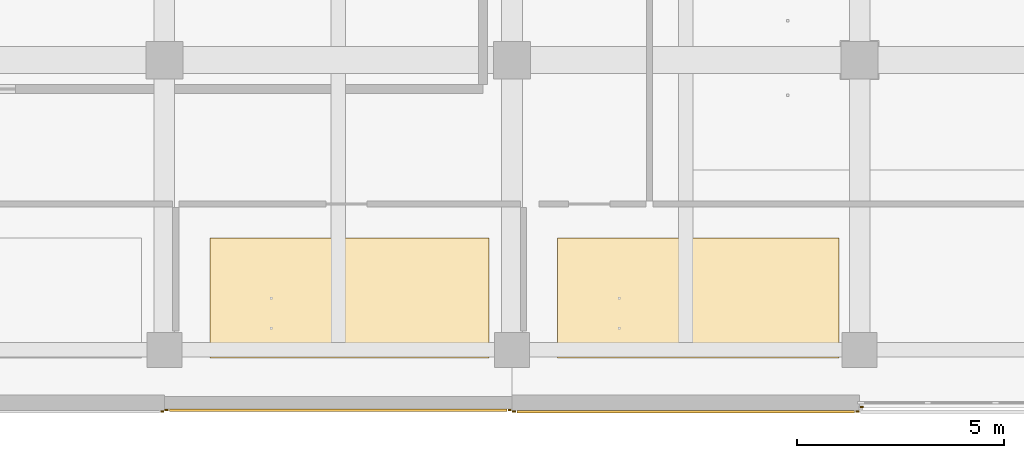
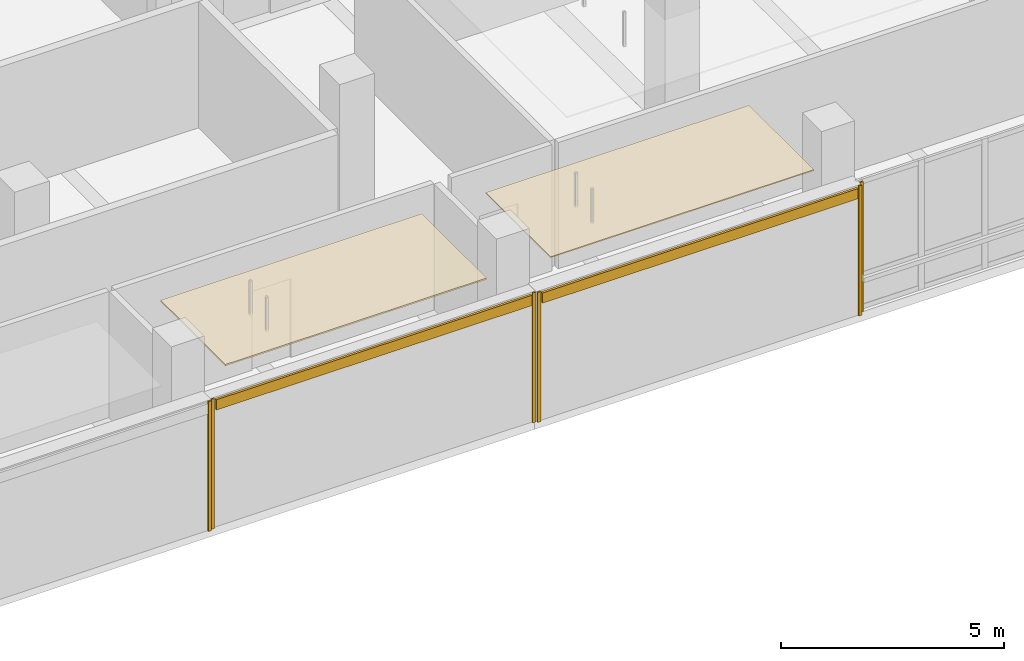
# One storey, part 28 of 36: 10 coverings.
"""IFC4 building model written with IfcOpenShell, lengths in metres."""

from ifc_helpers import new_model, si_unit, direction, frame, origin, origin_2d, place, context, subcontext, project, spatial, polyline, rectangle, outline, extrude, material, layer, layer_set, type_object, element, save


model = new_model("IFC4")

# Units and contexts
model_context = context("Model", 3, precision=1e-05, world=origin(), true_north=direction((0.0, 1.0)))
body_context = subcontext(model_context, "Body", "Model", "MODEL_VIEW")
ifc_project = project(units=[si_unit("LENGTHUNIT", "METRE"), si_unit("AREAUNIT", "SQUARE_METRE"), si_unit("VOLUMEUNIT", "CUBIC_METRE"), si_unit("PLANEANGLEUNIT", "RADIAN"), si_unit("MASSUNIT", "GRAM", prefix="KILO")], contexts=[model_context])

# Site, building, storey
site_placement = place(None, origin())
site = spatial("IfcSite", under=ifc_project, at=site_placement, CompositionType="ELEMENT")
building_placement = place(site_placement, origin())
building = spatial("IfcBuilding", under=site, at=building_placement, Name="Telukmera Botanical Conservatory", CompositionType="ELEMENT")
storey_placement = place(building_placement, frame((0.0, 0.0, 24.0)))
storey = spatial("IfcBuildingStorey", under=building, at=storey_placement, Name="L05", CompositionType="ELEMENT", Elevation=24.0)

# Coverings
ifc_material_1 = material(Name="Mineral fibre acoustic ceiling")
ifc_layer_1 = layer(ifc_material_1, 0.030029296875)
ifc_layer_set_1 = layer_set([ifc_layer_1], Name="Mineral fibre acoustic ceiling")
covering_type_1 = type_object("IfcCoveringType", Name="COV-CEIL-30", PredefinedType="CEILING", material=ifc_layer_set_1)
covering_1_placement = place(storey_placement, frame((0.0, 0.0, 3.320068359375)))
element("IfcCovering", 1, at=covering_1_placement, inside=storey, type_object=covering_type_1, Name="L05 Laboratory Write-Up Studio Suspended Acoustic Ceiling", PredefinedType="CEILING", context=body_context, shape_type="SweptSolid", body=[
    extrude(outline(polyline([(93.5, 10.39990234375), (100.304931640625, 10.39990234375), (100.304931640625, 13.300048828125), (93.5, 13.300048828125), (93.5, 10.39990234375)])), origin(), (0.0, 0.0, 1.0), 0.030029296875),
])
ifc_material_2 = material(Name="Perforated gypsum acoustic ceiling")
ifc_layer_2 = layer(ifc_material_2, 0.0400390625)
ifc_layer_set_2 = layer_set([ifc_layer_2], Name="Perforated gypsum acoustic ceiling")
covering_type_2 = type_object("IfcCoveringType", Name="COV-CEIL-40", PredefinedType="CEILING", material=ifc_layer_set_2)
covering_2_placement = place(storey_placement, frame((0.0, 0.0, 3.31005859375)))
element("IfcCovering", 2, at=covering_2_placement, inside=storey, type_object=covering_type_2, Name="L05 Lichenology Taxonomy Studio Suspended Acoustic Ceiling", PredefinedType="CEILING", context=body_context, shape_type="SweptSolid", body=[
    extrude(outline(polyline([(85.10009765625, 10.39990234375), (91.85009765625, 10.39990234375), (91.85009765625, 13.300048828125), (85.10009765625, 13.300048828125), (85.10009765625, 10.39990234375)])), origin(), (0.0, 0.0, 1.0), 0.0400390625),
])
ifc_material_3 = material(Name="Granite-faced precast concrete C40/50", Category="masonry")
ifc_layer_3 = layer(ifc_material_3, 0.0400390625)
ifc_layer_set_3 = layer_set([ifc_layer_3], Name="Granite-faced precast concrete C40/50")
covering_type_3 = type_object("IfcCoveringType", Name="Granite Precast Column Pier Reveal Casing", PredefinedType="CLADDING", material=ifc_layer_set_3)
for number, where, z_axis, x_axis, name in (
    (3, (83.947998046875, 9.110107421875, 0.0), (0.0, 0.0, 1.0), (1.0, 0.0, 0.0), "Granite Pier Reveal V4:L05:S4 R"),
    (4, (84.052001953125, 9.14990234375, 0.0), (0.0, 0.0, 1.0), (1.0, 0.0, 0.0), "Granite Pier Reveal V4:L05:S5 L"),
    (5, (92.347900390625, 9.14990234375, 0.0), (0.0, 0.0, 1.0), (1.0, 0.0, 0.0), "Granite Pier Reveal V4:L05:S5 R"),
    (6, (92.451904296875, 9.110107421875, 0.0), (0.0, 0.0, 1.0), (1.0, 0.0, 0.0), "Granite Pier Reveal V4:L05:S6 L"),
    (7, (100.748046875, 9.110107421875, 0.0), (0.0, 0.0, 1.0), (1.0, 0.0, 0.0), "Granite Pier Reveal V4:L05:S6 R"),
    (8, (100.85205078125, 9.219970703125, 0.0), (0.0, 0.0, 1.0), (1.0, 0.0, 0.0), "Granite Pier Reveal V4:L05:S7 L"),
):
    element("IfcCovering", number, at=place(storey_placement, frame(where, z_axis=z_axis, x_axis=x_axis)), inside=storey, type_object=covering_type_3, Name=name, PredefinedType="CLADDING", context=body_context, shape_type="SweptSolid", body=[
        extrude(rectangle(XDim=0.080078125, YDim=0.0400390625, at=origin_2d()), origin(), (0.0, 0.0, 1.0), 3.550048828125),
    ])
ifc_material_4 = material(Name="Terracotta-faced precast concrete C40/50", Category="masonry")
ifc_layer_4 = layer(ifc_material_4, 0.06005859375)
ifc_layer_set_4 = layer_set([ifc_layer_4], Name="Terracotta-faced precast concrete C40/50")
covering_type_4 = type_object("IfcCoveringType", Name="Polychrome Terracotta Facade Band Cladding", PredefinedType="CLADDING", material=ifc_layer_set_4)
for number, where, z_axis, x_axis, name in (
    (9, (88.199951171875, 9.139892578125, 3.22998046875), (0.0, 0.0, 1.0), (1.0, 0.0, 0.0), "Polychrome Terracotta Band V4:L05:S5"),
    (10, (96.60009765625, 9.10009765625, 3.22998046875), (0.0, 0.0, 1.0), (1.0, 0.0, 0.0), "Polychrome Terracotta Band V4:L05:S6"),
):
    element("IfcCovering", number, at=place(storey_placement, frame(where, z_axis=z_axis, x_axis=x_axis)), inside=storey, type_object=covering_type_4, Name=name, PredefinedType="CLADDING", context=body_context, shape_type="SweptSolid", body=[
        extrude(rectangle(XDim=8.156005859375, YDim=0.06005859375, at=origin_2d()), origin(), (0.0, 0.0, 1.0), 0.280029296875),
    ])

save(model, "model.ifc")
